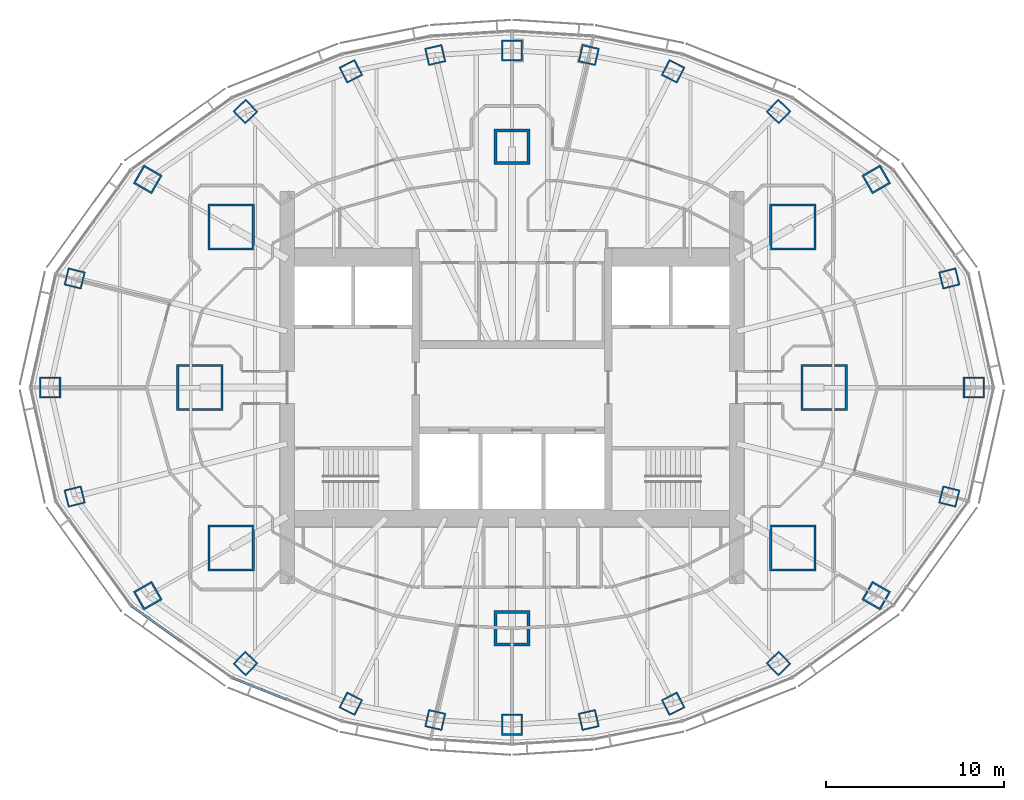
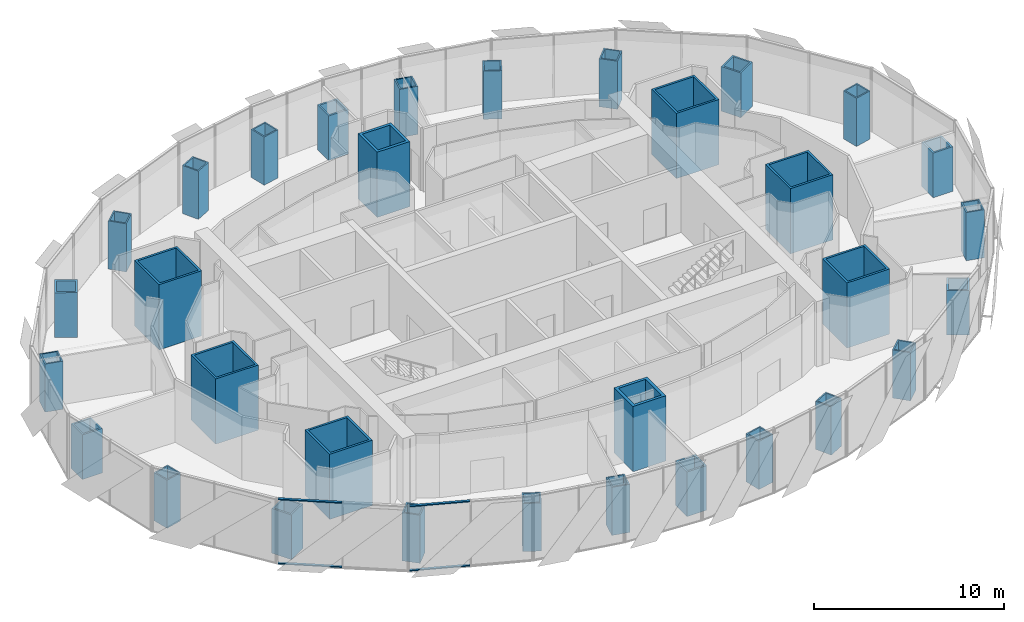
# One storey, part 1 of 18: 32 columns, 4 members, 2 elements without a shape of their own.
"""IFC4 building model written with IfcOpenShell, lengths in metres."""

from ifc_helpers import new_model, si_unit, direction, frame, origin, origin_2d, place, context, subcontext, project, spatial, rectangle, hollow_rectangle, extrude, material, material_profile, profile_set, type_object, element, aggregate, save


model = new_model("IFC4")

# Units and contexts
model_context = context("Model", 3, precision=1e-05, world=origin(), true_north=direction((0.0, 1.0)))
body_context = subcontext(model_context, "Body", "Model", "MODEL_VIEW")
ifc_project = project(units=[si_unit("LENGTHUNIT", "METRE"), si_unit("AREAUNIT", "SQUARE_METRE"), si_unit("VOLUMEUNIT", "CUBIC_METRE"), si_unit("PLANEANGLEUNIT", "RADIAN"), si_unit("MASSUNIT", "GRAM", prefix="KILO")], contexts=[model_context])

# Site, building, storey
site_placement = place(None, origin())
site = spatial("IfcSite", under=ifc_project, at=site_placement, CompositionType="ELEMENT")
building_placement = place(site_placement, origin())
building = spatial("IfcBuilding", under=site, at=building_placement, Name="Lantaw Convention Tower", CompositionType="ELEMENT")
storey_placement = place(building_placement, frame((0.0, 0.0, 262.0)))
storey = spatial("IfcBuildingStorey", under=building, at=storey_placement, Name="L61", CompositionType="ELEMENT", Elevation=262.0)

# Columns
ifc_material_1 = material(Name="Steel EN 10025-3 S460N", Category="steel")
ifc_material_profile_1 = material_profile(ifc_material_1, hollow_rectangle(XDim=2.0, YDim=2.0, WallThickness=0.169921875, at=origin_2d()), Name="BOX2000X170")
ifc_material_2 = material(Name="Concrete C60/75", Category="concrete")
ifc_material_profile_2 = material_profile(ifc_material_2, rectangle(XDim=1.659912109375, YDim=1.659912109375, at=origin_2d()), Name="Concrete fill of BOX2000X170")
ifc_profile_set_1 = profile_set([ifc_material_profile_1, ifc_material_profile_2], Name="Steel EN 10025-3 S460N")
column_type_1 = type_object("IfcColumnType", Name="Column MC BOX2000X170", PredefinedType="COLUMN", material=ifc_profile_set_1)
for number, where, z_axis, x_axis, name in (
    (1, (0.0, 13.5, 0.0), (0.0, 0.0, 1.0), (1.0, 0.0, 0.0), "Mega column M3"),
    (2, (0.0, -13.5, 0.0), (0.0, 0.0, 1.0), (1.0, 0.0, 0.0), "Mega column M7"),
):
    element("IfcColumn", number, at=place(storey_placement, frame(where, z_axis=z_axis, x_axis=x_axis)), inside=storey, type_object=column_type_1, Name=name, PredefinedType="COLUMN", context=body_context, shape_type="SweptSolid", body=[
        extrude(hollow_rectangle(XDim=2.0, YDim=2.0, WallThickness=0.169921875, at=origin_2d()), origin(), (0.0, 0.0, 1.0), 4.199951171875),
    ])
ifc_material_profile_3 = material_profile(ifc_material_1, hollow_rectangle(XDim=2.60009765625, YDim=2.60009765625, WallThickness=0.1298828125, at=origin_2d()), Name="BOX2600X130")
ifc_material_profile_4 = material_profile(ifc_material_2, rectangle(XDim=2.340087890625, YDim=2.340087890625, at=origin_2d()), Name="Concrete fill of BOX2600X130")
ifc_profile_set_2 = profile_set([ifc_material_profile_3, ifc_material_profile_4], Name="Steel EN 10025-3 S460N")
column_type_2 = type_object("IfcColumnType", Name="Column MC BOX2600X130", PredefinedType="COLUMN", material=ifc_profile_set_2)
for number, where, z_axis, x_axis, name in (
    (3, (17.5, 0.0, 0.0), (0.0, 0.0, 1.0), (1.0, 0.0, 0.0), "Mega column M1"),
    (4, (15.75, 9.0, 0.0), (0.0, 0.0, 1.0), (1.0, 0.0, 0.0), "Mega column M2"),
    (5, (-15.75, 9.0, 0.0), (0.0, 0.0, 1.0), (1.0, 0.0, 0.0), "Mega column M4"),
    (6, (-17.5, 0.0, 0.0), (0.0, 0.0, 1.0), (1.0, 0.0, 0.0), "Mega column M5"),
    (7, (-15.75, -9.0, 0.0), (0.0, 0.0, 1.0), (1.0, 0.0, 0.0), "Mega column M6"),
    (8, (15.75, -9.0, 0.0), (0.0, 0.0, 1.0), (1.0, 0.0, 0.0), "Mega column M8"),
):
    element("IfcColumn", number, at=place(storey_placement, frame(where, z_axis=z_axis, x_axis=x_axis)), inside=storey, type_object=column_type_2, Name=name, PredefinedType="COLUMN", context=body_context, shape_type="SweptSolid", body=[
        extrude(hollow_rectangle(XDim=2.60009765625, YDim=2.60009765625, WallThickness=0.1298828125, at=origin_2d()), origin(), (0.0, 0.0, 1.0), 4.199951171875),
    ])
ifc_material_3 = material(Name="Steel ASTM A572 Grade 50", Category="steel")
ifc_material_profile_5 = material_profile(ifc_material_3, hollow_rectangle(XDim=1.0, YDim=1.0, WallThickness=0.080078125, at=origin_2d()), Name="BOX1000X80")
ifc_material_profile_6 = material_profile(ifc_material_2, rectangle(XDim=0.840087890625, YDim=0.840087890625, at=origin_2d()), Name="Concrete fill of BOX1000X80")
ifc_profile_set_3 = profile_set([ifc_material_profile_5, ifc_material_profile_6], Name="Steel ASTM A572 Grade 50")
column_type_3 = type_object("IfcColumnType", Name="Column PC BOX1000X80", PredefinedType="COLUMN", material=ifc_profile_set_3)
for number, where, z_axis, x_axis, name in (
    (9, (24.52197265625, 6.114013671875, 0.0), (0.0, 0.0, 1.0), (0.970295726276, 0.2419218956, 0.0), "Perimeter column P2"),
    (10, (14.9443359375, 15.475341796875, 0.0), (0.0, 0.0, 1.0), (0.694658370459, 0.719339800339, 0.0), "Perimeter column P4"),
    (11, (9.03466796875, 17.7314453125, 0.0), (0.0, 0.0, 1.0), (0.45399049974, 0.891006524188, 0.0), "Perimeter column P5"),
    (12, (4.303955078125, 18.64208984375, 0.0), (0.0, 0.0, 1.0), (0.224951054344, 0.974370064785, 0.0), "Perimeter column P6"),
    (13, (-4.303955078125, 18.64208984375, 0.0), (0.0, 0.0, 1.0), (0.974370064785, 0.224951054344, 0.0), "Perimeter column P8"),
    (14, (-9.03466796875, 17.7314453125, 0.0), (0.0, 0.0, 1.0), (0.891006524188, 0.45399049974, 0.0), "Perimeter column P9"),
    (15, (-14.9443359375, 15.475341796875, 0.0), (0.0, 0.0, 1.0), (0.719339800339, 0.694658370459, 0.0), "Perimeter column P10"),
    (16, (-24.52197265625, 6.114013671875, 0.0), (0.0, 0.0, 1.0), (0.2419218956, 0.970295726276, 0.0), "Perimeter column P12"),
    (17, (-24.52197265625, -6.114013671875, 0.0), (0.0, 0.0, 1.0), (0.970295726276, 0.2419218956, 0.0), "Perimeter column P14"),
    (18, (-14.9443359375, -15.475341796875, 0.0), (0.0, 0.0, 1.0), (0.694658370459, 0.719339800339, 0.0), "Perimeter column P16"),
    (19, (-9.03466796875, -17.7314453125, 0.0), (0.0, 0.0, 1.0), (0.45399049974, 0.891006524188, 0.0), "Perimeter column P17"),
    (20, (-4.303955078125, -18.64208984375, 0.0), (0.0, 0.0, 1.0), (0.224951054344, 0.974370064785, 0.0), "Perimeter column P18"),
    (21, (4.303955078125, -18.64208984375, 0.0), (0.0, 0.0, 1.0), (0.974370064785, 0.224951054344, 0.0), "Perimeter column P20"),
    (22, (9.03466796875, -17.7314453125, 0.0), (0.0, 0.0, 1.0), (0.891006524188, 0.45399049974, 0.0), "Perimeter column P21"),
    (23, (14.9443359375, -15.475341796875, 0.0), (0.0, 0.0, 1.0), (0.719339800339, 0.694658370459, 0.0), "Perimeter column P22"),
    (24, (24.52197265625, -6.114013671875, 0.0), (0.0, 0.0, 1.0), (0.2419218956, 0.970295726276, 0.0), "Perimeter column P24"),
):
    element("IfcColumn", number, at=place(storey_placement, frame(where, z_axis=z_axis, x_axis=x_axis)), inside=storey, type_object=column_type_3, Name=name, PredefinedType="COLUMN", context=body_context, shape_type="SweptSolid", body=[
        extrude(hollow_rectangle(XDim=1.0, YDim=1.0, WallThickness=0.080078125, at=origin_2d()), origin(), (0.0, 0.0, 1.0), 3.10009765625),
    ])
ifc_material_profile_7 = material_profile(ifc_material_1, hollow_rectangle(XDim=1.199951171875, YDim=1.199951171875, WallThickness=0.10009765625, at=origin_2d()), Name="BOX1200X100")
ifc_material_profile_8 = material_profile(ifc_material_2, rectangle(XDim=1.0, YDim=1.0, at=origin_2d()), Name="Concrete fill of BOX1200X100")
ifc_profile_set_4 = profile_set([ifc_material_profile_7, ifc_material_profile_8], Name="Steel EN 10025-3 S460N")
column_type_4 = type_object("IfcColumnType", Name="Column PC BOX1200X100", PredefinedType="COLUMN", material=ifc_profile_set_4)
for number, where, z_axis, x_axis, name in (
    (25, (25.89990234375, 0.0, 0.0), (0.0, 0.0, 1.0), (1.0, 0.0, 0.0), "Perimeter column P1"),
    (26, (20.423095703125, 11.67041015625, 0.0), (0.0, 0.0, 1.0), (0.86824298017, 0.496139221777, 0.0), "Perimeter column P3"),
    (27, (0.0, 18.89990234375, 0.0), (0.0, 0.0, 1.0), (1.0, 0.0, 0.0), "Perimeter column P7"),
    (28, (-20.423095703125, 11.67041015625, 0.0), (0.0, 0.0, 1.0), (0.496139221777, 0.86824298017, 0.0), "Perimeter column P11"),
    (29, (-25.89990234375, 0.0, 0.0), (0.0, 0.0, 1.0), (1.0, 0.0, 0.0), "Perimeter column P13"),
    (30, (-20.423095703125, -11.67041015625, 0.0), (0.0, 0.0, 1.0), (0.86824298017, 0.496139221777, 0.0), "Perimeter column P15"),
    (31, (0.0, -18.89990234375, 0.0), (0.0, 0.0, 1.0), (1.0, 0.0, 0.0), "Perimeter column P19"),
    (32, (20.423095703125, -11.67041015625, 0.0), (0.0, 0.0, 1.0), (0.496139221777, 0.86824298017, 0.0), "Perimeter column P23"),
):
    element("IfcColumn", number, at=place(storey_placement, frame(where, z_axis=z_axis, x_axis=x_axis)), inside=storey, type_object=column_type_4, Name=name, PredefinedType="COLUMN", context=body_context, shape_type="SweptSolid", body=[
        extrude(hollow_rectangle(XDim=1.199951171875, YDim=1.199951171875, WallThickness=0.10009765625, at=origin_2d()), origin(), (0.0, 0.0, 1.0), 2.8798828125),
    ])

# Curtain wall, members
ifc_material_4 = material(Name="Aluminium framed curtain wall", Category="aluminium")
curtain_wall_type = type_object("IfcCurtainWallType", Name="Office curtain wall high rise, pale aluminium", PredefinedType="USERDEFINED", material=ifc_material_4)
curtain_wall_1_placement = place(storey_placement, origin())
curtain_wall_1 = element("IfcCurtainWall", 33, at=curtain_wall_1_placement, inside=storey, type_object=curtain_wall_type, Name="Office curtain wall high rise, pale aluminium L61", ObjectType="UNITISED CURTAIN WALL", PredefinedType="USERDEFINED")
ifc_material_5 = material(Name="Aluminium 6063-T6", Category="aluminium")
ifc_material_profile_9 = material_profile(ifc_material_5, rectangle(XDim=0.14990234375, YDim=0.06494140625, at=origin_2d()), Name="CW-O2 transom 65x150")
ifc_profile_set_5 = profile_set([ifc_material_profile_9], Name="Aluminium 6063-T6")
member_type = type_object("IfcMemberType", Name="CW-O2 transom 65x150", PredefinedType="USERDEFINED", material=ifc_profile_set_5)
member_1_placement = place(storey_placement, frame((-21.3251953125, -12.25390625, -0.117431640625), z_axis=(0.813679882592, -0.581313210468, 0.0), x_axis=(0.581313210468, 0.813679882592, 0.0)))
member_1 = element("IfcMember", 34, at=member_1_placement, type_object=member_type, Name="CW-O2 transom 1.1", ObjectType="TRANSOM", PredefinedType="USERDEFINED", context=body_context, shape_type="SweptSolid", body=[
    extrude(rectangle(XDim=0.14990234375, YDim=0.06494140625, at=origin_2d()), origin(), (0.0, 0.0, 1.0), 3.38623046875),
])
member_2_placement = place(storey_placement, frame((-21.3251953125, -12.25390625, 4.017578125), z_axis=(0.813679882592, -0.581313210468, 0.0), x_axis=(0.581313210468, 0.813679882592, 0.0)))
member_2 = element("IfcMember", 35, at=member_2_placement, type_object=member_type, Name="CW-O2 transom 1.2", ObjectType="TRANSOM", PredefinedType="USERDEFINED", context=body_context, shape_type="SweptSolid", body=[
    extrude(rectangle(XDim=0.14990234375, YDim=0.06494140625, at=origin_2d()), origin(), (0.0, 0.0, 1.0), 3.38623046875),
])
aggregate(curtain_wall_1, [member_1, member_2])

curtain_wall_2_placement = place(storey_placement, origin())
curtain_wall_2 = element("IfcCurtainWall", 36, at=curtain_wall_2_placement, inside=storey, type_object=curtain_wall_type, Name="Office curtain wall high rise, pale aluminium L61", ObjectType="UNITISED CURTAIN WALL", PredefinedType="USERDEFINED")
member_3_placement = place(storey_placement, frame((-15.648193359375, -16.29052734375, -0.117431640625), z_axis=(0.929740712354, -0.368214893495, 0.0), x_axis=(0.368214893495, 0.929740712354, 0.0)))
member_3 = element("IfcMember", 37, at=member_3_placement, type_object=member_type, Name="CW-O2 transom 1.1", ObjectType="TRANSOM", PredefinedType="USERDEFINED", context=body_context, shape_type="SweptSolid", body=[
    extrude(rectangle(XDim=0.14990234375, YDim=0.06494140625, at=origin_2d()), origin(), (0.0, 0.0, 1.0), 3.22314453125),
])
member_4_placement = place(storey_placement, frame((-15.648193359375, -16.29052734375, 4.017578125), z_axis=(0.929740712354, -0.368214893495, 0.0), x_axis=(0.368214893495, 0.929740712354, 0.0)))
member_4 = element("IfcMember", 38, at=member_4_placement, type_object=member_type, Name="CW-O2 transom 1.2", ObjectType="TRANSOM", PredefinedType="USERDEFINED", context=body_context, shape_type="SweptSolid", body=[
    extrude(rectangle(XDim=0.14990234375, YDim=0.06494140625, at=origin_2d()), origin(), (0.0, 0.0, 1.0), 3.22314453125),
])
aggregate(curtain_wall_2, [member_3, member_4])

save(model, "model.ifc")
